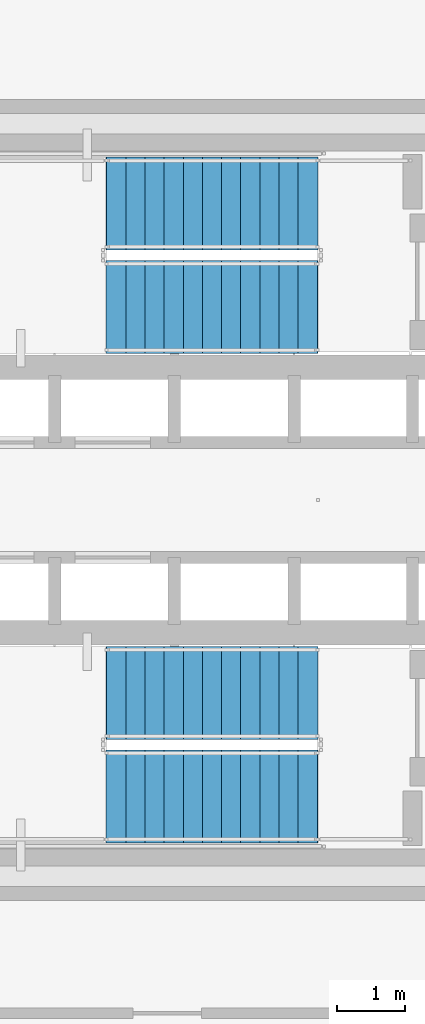
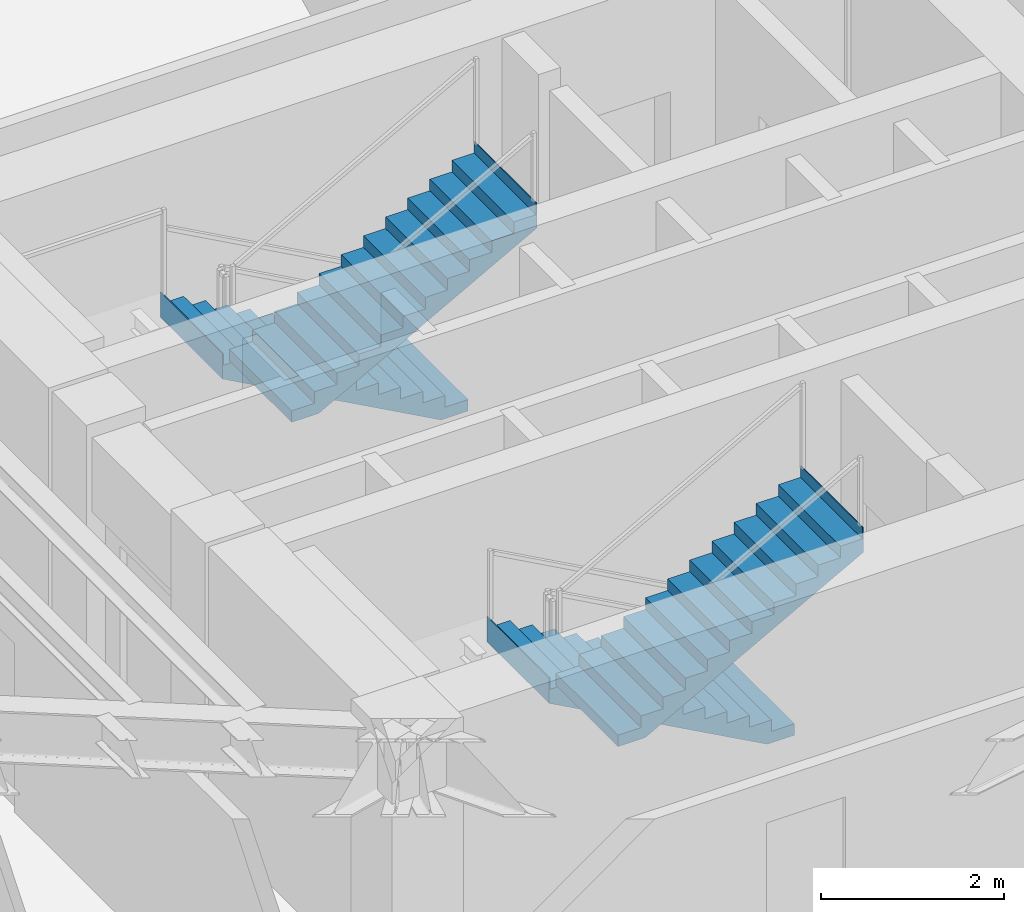
# One storey, part 8 of 13: 4 stair flights, 2 elements without a shape of their own.
"""IFC4 building model written with IfcOpenShell, lengths in metres."""

from ifc_helpers import new_model, si_unit, direction, frame, origin, place, context, subcontext, project, spatial, polyline, outline, extrude, material, type_object, element, aggregate, save


model = new_model("IFC4")

# Units and contexts
model_context = context("Model", 3, precision=1e-05, world=origin(), true_north=direction((0.0, 1.0)))
body_context = subcontext(model_context, "Body", "Model", "MODEL_VIEW")
ifc_project = project(units=[si_unit("LENGTHUNIT", "METRE"), si_unit("AREAUNIT", "SQUARE_METRE"), si_unit("VOLUMEUNIT", "CUBIC_METRE"), si_unit("PLANEANGLEUNIT", "RADIAN"), si_unit("MASSUNIT", "GRAM", prefix="KILO")], contexts=[model_context])

# Site, building, storey
site_placement = place(None, origin())
site = spatial("IfcSite", under=ifc_project, at=site_placement, CompositionType="ELEMENT")
building_placement = place(site_placement, origin())
building = spatial("IfcBuilding", under=site, at=building_placement, Name="Yunling Apex Tower", CompositionType="ELEMENT")
storey_placement = place(building_placement, frame((0.0, 0.0, 20.10009765625)))
storey = spatial("IfcBuildingStorey", under=building, at=storey_placement, Name="L06", CompositionType="ELEMENT", Elevation=20.10009765625)

# Stair, stair flights
ifc_material = material(Name="Concrete C40", Category="concrete")
stair_type = type_object("IfcStairType", Name="ST-TWR-1", PredefinedType="HALF_TURN_STAIR", material=ifc_material)
stair_1_placement = place(storey_placement, origin())
stair_1 = element("IfcStair", 1, at=stair_1_placement, inside=storey, type_object=stair_type, Name="L06 North Core Smokeproof Exit Stair ST-1", PredefinedType="HALF_TURN_STAIR")
stair_flight_type = type_object("IfcStairFlightType", Name="SFL-TWR-1", PredefinedType="STRAIGHT", material=ifc_material)
stair_flight_1_placement = place(storey_placement, frame((-0.010009765625, 4.330078125, 0.0), z_axis=(0.0, 0.0, 1.0), x_axis=(-1.0, 0.0, 0.0)))
stair_flight_1 = element("IfcStairFlight", 2, at=stair_flight_1_placement, type_object=stair_flight_type, Name="ST-1 flight 1", NumberOfRisers=12, NumberOfTreads=11, PredefinedType="STRAIGHT", RiserHeight=0.154166667, TreadLength=0.28, context=body_context, shape_type="SweptSolid", body=[
    extrude(outline(polyline([(-0.011962890625, 0.0), (-0.011962890625, 0.154052734375), (0.0, 0.154052734375), (0.280029296875, 0.154052734375), (0.280029296875, 0.308349609375), (0.56005859375, 0.308349609375), (0.56005859375, 0.46240234375), (0.840087890625, 0.46240234375), (0.840087890625, 0.61669921875), (1.1201171875, 0.61669921875), (1.1201171875, 0.770751953125), (1.39990234375, 0.770751953125), (1.39990234375, 0.925048828125), (1.679931640625, 0.925048828125), (1.679931640625, 1.0791015625), (1.9599609375, 1.0791015625), (1.9599609375, 1.2333984375), (2.239990234375, 1.2333984375), (2.239990234375, 1.387451171875), (2.52001953125, 1.387451171875), (2.52001953125, 1.541748046875), (2.800048828125, 1.541748046875), (2.800048828125, 1.69580078125), (3.080078125, 1.69580078125), (3.080078125, 1.85009765625), (3.092041015625, 1.85009765625), (3.092041015625, 1.51318359375), (0.33154296875, 0.0), (-0.011962890625, 0.0)])), frame((0.0, 0.68017578125, 0.0), z_axis=(0.0, -1.0, 0.0), x_axis=(1.0, 0.0, 0.0)), (0.0, 0.0, 1.0), 1.360107421875),
])
stair_flight_2_placement = place(storey_placement, frame((-3.090087890625, 2.820068359375, 1.849853515625), z_axis=(0.0, 0.0, 1.0), x_axis=(1.0, 0.0, 0.0)))
stair_flight_2 = element("IfcStairFlight", 3, at=stair_flight_2_placement, type_object=stair_flight_type, Name="ST-1 flight 2", NumberOfRisers=12, NumberOfTreads=11, PredefinedType="STRAIGHT", RiserHeight=0.154166667, TreadLength=0.28, context=body_context, shape_type="SweptSolid", body=[
    extrude(outline(polyline([(-0.011962890625, 0.0), (-0.011962890625, 0.154052734375), (0.0, 0.154052734375), (0.280029296875, 0.154052734375), (0.280029296875, 0.308349609375), (0.56005859375, 0.308349609375), (0.56005859375, 0.46240234375), (0.840087890625, 0.46240234375), (0.840087890625, 0.61669921875), (1.1201171875, 0.61669921875), (1.1201171875, 0.770751953125), (1.39990234375, 0.770751953125), (1.39990234375, 0.925048828125), (1.679931640625, 0.925048828125), (1.679931640625, 1.0791015625), (1.9599609375, 1.0791015625), (1.9599609375, 1.2333984375), (2.239990234375, 1.2333984375), (2.239990234375, 1.387451171875), (2.52001953125, 1.387451171875), (2.52001953125, 1.541748046875), (2.800048828125, 1.541748046875), (2.800048828125, 1.69580078125), (3.080078125, 1.69580078125), (3.080078125, 1.85009765625), (3.092041015625, 1.85009765625), (3.092041015625, 1.51318359375), (0.33154296875, 0.0), (-0.011962890625, 0.0)])), frame((0.0, 0.68017578125, 0.0), z_axis=(0.0, -1.0, 0.0), x_axis=(1.0, 0.0, 0.0)), (0.0, 0.0, 1.0), 1.360107421875),
])
aggregate(stair_1, [stair_flight_1, stair_flight_2])

stair_2_placement = place(storey_placement, origin())
stair_2 = element("IfcStair", 4, at=stair_2_placement, inside=storey, type_object=stair_type, Name="L06 South Core Smokeproof Exit Stair ST-2", PredefinedType="HALF_TURN_STAIR")
stair_flight_3_placement = place(storey_placement, frame((-0.010009765625, -2.820068359375, 0.0), z_axis=(0.0, 0.0, 1.0), x_axis=(-1.0, 0.0, 0.0)))
stair_flight_3 = element("IfcStairFlight", 5, at=stair_flight_3_placement, type_object=stair_flight_type, Name="ST-2 flight 1", NumberOfRisers=12, NumberOfTreads=11, PredefinedType="STRAIGHT", RiserHeight=0.154166667, TreadLength=0.28, context=body_context, shape_type="SweptSolid", body=[
    extrude(outline(polyline([(-0.011962890625, 0.0), (-0.011962890625, 0.154052734375), (0.0, 0.154052734375), (0.280029296875, 0.154052734375), (0.280029296875, 0.308349609375), (0.56005859375, 0.308349609375), (0.56005859375, 0.46240234375), (0.840087890625, 0.46240234375), (0.840087890625, 0.61669921875), (1.1201171875, 0.61669921875), (1.1201171875, 0.770751953125), (1.39990234375, 0.770751953125), (1.39990234375, 0.925048828125), (1.679931640625, 0.925048828125), (1.679931640625, 1.0791015625), (1.9599609375, 1.0791015625), (1.9599609375, 1.2333984375), (2.239990234375, 1.2333984375), (2.239990234375, 1.387451171875), (2.52001953125, 1.387451171875), (2.52001953125, 1.541748046875), (2.800048828125, 1.541748046875), (2.800048828125, 1.69580078125), (3.080078125, 1.69580078125), (3.080078125, 1.85009765625), (3.092041015625, 1.85009765625), (3.092041015625, 1.51318359375), (0.33154296875, 0.0), (-0.011962890625, 0.0)])), frame((0.0, 0.68017578125, 0.0), z_axis=(0.0, -1.0, 0.0), x_axis=(1.0, 0.0, 0.0)), (0.0, 0.0, 1.0), 1.360107421875),
])
stair_flight_4_placement = place(storey_placement, frame((-3.090087890625, -4.330078125, 1.849853515625), z_axis=(0.0, 0.0, 1.0), x_axis=(1.0, 0.0, 0.0)))
stair_flight_4 = element("IfcStairFlight", 6, at=stair_flight_4_placement, type_object=stair_flight_type, Name="ST-2 flight 2", NumberOfRisers=12, NumberOfTreads=11, PredefinedType="STRAIGHT", RiserHeight=0.154166667, TreadLength=0.28, context=body_context, shape_type="SweptSolid", body=[
    extrude(outline(polyline([(-0.011962890625, 0.0), (-0.011962890625, 0.154052734375), (0.0, 0.154052734375), (0.280029296875, 0.154052734375), (0.280029296875, 0.308349609375), (0.56005859375, 0.308349609375), (0.56005859375, 0.46240234375), (0.840087890625, 0.46240234375), (0.840087890625, 0.61669921875), (1.1201171875, 0.61669921875), (1.1201171875, 0.770751953125), (1.39990234375, 0.770751953125), (1.39990234375, 0.925048828125), (1.679931640625, 0.925048828125), (1.679931640625, 1.0791015625), (1.9599609375, 1.0791015625), (1.9599609375, 1.2333984375), (2.239990234375, 1.2333984375), (2.239990234375, 1.387451171875), (2.52001953125, 1.387451171875), (2.52001953125, 1.541748046875), (2.800048828125, 1.541748046875), (2.800048828125, 1.69580078125), (3.080078125, 1.69580078125), (3.080078125, 1.85009765625), (3.092041015625, 1.85009765625), (3.092041015625, 1.51318359375), (0.33154296875, 0.0), (-0.011962890625, 0.0)])), frame((0.0, 0.68017578125, 0.0), z_axis=(0.0, -1.0, 0.0), x_axis=(1.0, 0.0, 0.0)), (0.0, 0.0, 1.0), 1.360107421875),
])
aggregate(stair_2, [stair_flight_3, stair_flight_4])

save(model, "model.ifc")
